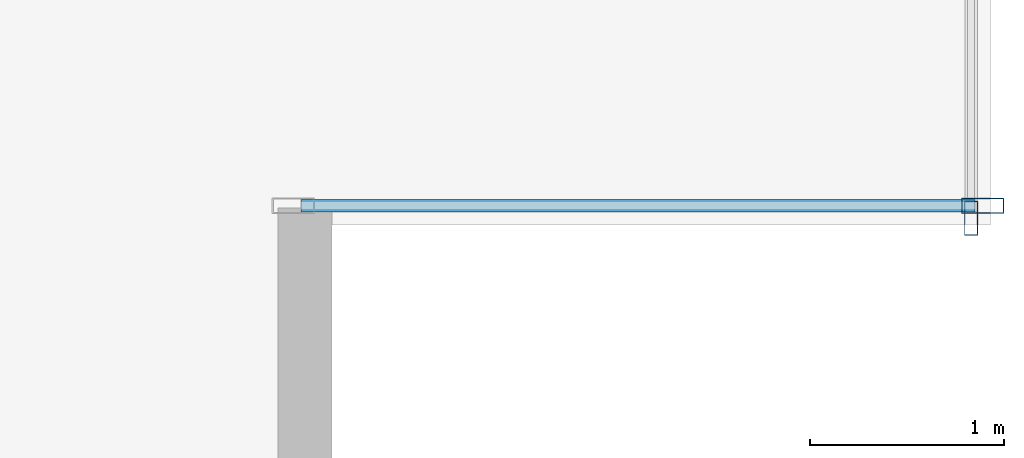
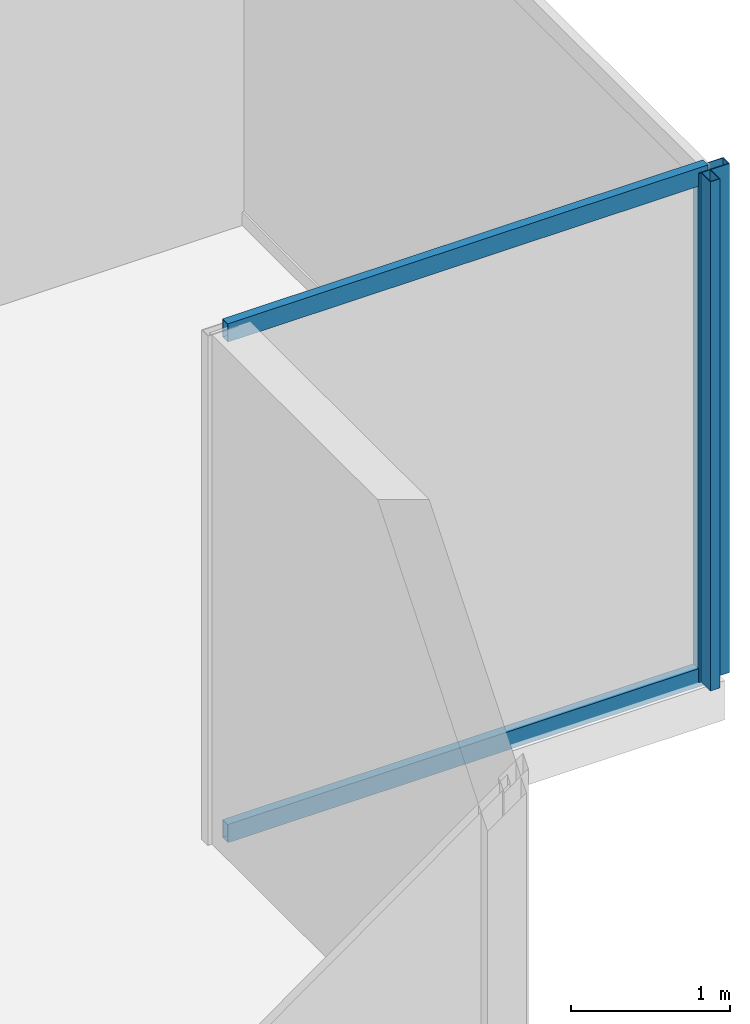
# One storey, part 15 of 31: 4 members, 2 elements without a shape of their own.
"""IFC4 building model written with IfcOpenShell, lengths in metres."""

from ifc_helpers import new_model, si_unit, direction, frame, origin, origin_2d, place, context, subcontext, project, spatial, hollow_rectangle, extrude, source, transform, mapped, material, layer, layer_set, material_profile, profile_set, type_object, type_shapes, element, aggregate, save


model = new_model("IFC4")

# Units and contexts
model_context = context("Model", 3, precision=1e-05, world=origin(), true_north=direction((0.0, 1.0)))
body_context = subcontext(model_context, "Body", "Model", "MODEL_VIEW")
ifc_project = project(units=[si_unit("LENGTHUNIT", "METRE"), si_unit("AREAUNIT", "SQUARE_METRE"), si_unit("VOLUMEUNIT", "CUBIC_METRE"), si_unit("PLANEANGLEUNIT", "RADIAN"), si_unit("MASSUNIT", "GRAM", prefix="KILO")], contexts=[model_context])

# Site, building, storey
site_placement = place(None, origin())
site = spatial("IfcSite", under=ifc_project, at=site_placement, CompositionType="ELEMENT")
building_placement = place(site_placement, origin())
building = spatial("IfcBuilding", under=site, at=building_placement, Name="Haelvirn Gate Laboratories", CompositionType="ELEMENT")
storey_placement = place(building_placement, frame((0.0, 0.0, 318.60009765625)))
storey = spatial("IfcBuildingStorey", under=building, at=storey_placement, Name="L76", CompositionType="ELEMENT", Elevation=318.60009765625)

# Curtain wall, member
ifc_material_1 = material(Name="Anodised bronze unitised aluminium & triple low-E glass", Category="aluminium")
ifc_layer_1 = layer(ifc_material_1, 0.176025390625, Name="CW-SYS-4")
ifc_layer_set_1 = layer_set([ifc_layer_1], Name="Anodised bronze unitised aluminium & triple low-E glass")
curtain_wall_type_1 = type_object("IfcCurtainWallType", Name="CW-SYS-4", PredefinedType="NOTDEFINED", material=ifc_layer_set_1)
curtain_wall_1_placement = place(storey_placement, origin())
curtain_wall_1 = element("IfcCurtainWall", 1, at=curtain_wall_1_placement, inside=storey, type_object=curtain_wall_type_1, Name="L76 Unitised Curtain Wall CW-L76-P0-E07", PredefinedType="NOTDEFINED")
ifc_material_2 = material(Name="Extruded aluminium 6063-T6 (anodised bronze)", Category="aluminium")
ifc_material_profile_1 = material_profile(ifc_material_2, hollow_rectangle(XDim=0.070068359375, YDim=0.179931640625, WallThickness=0.0048828125, at=origin_2d()), Name="CWM-180x70x5")
ifc_profile_set_1 = profile_set([ifc_material_profile_1], Name="Extruded aluminium 6063-T6 (anodised bronze)")
member_type_1 = type_object("IfcMemberType", Name="CWM-T180", PredefinedType="MULLION", material=ifc_profile_set_1)
shared_shape_1 = source(origin(), body_context, "Body", "SweptSolid", [
    extrude(hollow_rectangle(XDim=0.070068359375, YDim=0.179931640625, WallThickness=0.0048828125, at=origin_2d()), origin(), (0.0, 0.0, 1.0), 3.89990234375),
])
type_shapes(member_type_1, [shared_shape_1])
member_1_placement = place(storey_placement, frame((68.89990234375, 7.135009765625, 0.0), z_axis=(0.0, 0.0, 1.0), x_axis=(-1.0, 0.0, 0.0)))
member_1 = element("IfcMember", 2, at=member_1_placement, type_object=member_type_1, Name="CW4 mullion 1", PredefinedType="MULLION", context=body_context, shape_type="MappedRepresentation", body=[
    mapped(shared_shape_1, transform((0.0, 0.0, 0.0), scale=1.0)),
])
aggregate(curtain_wall_1, [member_1])

# Curtain wall, members
ifc_layer_2 = layer(ifc_material_1, 0.181884765625, Name="CW-SYS-5")
ifc_layer_set_2 = layer_set([ifc_layer_2], Name="Anodised bronze unitised aluminium & triple low-E glass")
curtain_wall_type_2 = type_object("IfcCurtainWallType", Name="CW-SYS-5", PredefinedType="NOTDEFINED", material=ifc_layer_set_2)
curtain_wall_2_placement = place(storey_placement, origin())
curtain_wall_2 = element("IfcCurtainWall", 3, at=curtain_wall_2_placement, inside=storey, type_object=curtain_wall_type_2, Name="L76 Unitised Curtain Wall CW-L76-P0-E06-1", PredefinedType="NOTDEFINED")
ifc_material_profile_2 = material_profile(ifc_material_2, hollow_rectangle(XDim=0.080078125, YDim=0.219970703125, WallThickness=0.006103515625, at=origin_2d()), Name="CWM-220x80x6")
ifc_profile_set_2 = profile_set([ifc_material_profile_2], Name="Extruded aluminium 6063-T6 (anodised bronze)")
member_type_2 = type_object("IfcMemberType", Name="CWM-T220", PredefinedType="MULLION", material=ifc_profile_set_2)
shared_shape_2 = source(origin(), body_context, "Body", "SweptSolid", [
    extrude(hollow_rectangle(XDim=0.080078125, YDim=0.219970703125, WallThickness=0.006103515625, at=origin_2d()), origin(), (0.0, 0.0, 1.0), 3.89990234375),
])
type_shapes(member_type_2, [shared_shape_2])
member_2_placement = place(storey_placement, frame((68.9599609375, 7.199951171875, 0.0), z_axis=(0.0, 0.0, 1.0), x_axis=(0.0, 1.0, 0.0)))
member_2 = element("IfcMember", 4, at=member_2_placement, type_object=member_type_2, Name="CW5 mullion 2", PredefinedType="MULLION", context=body_context, shape_type="MappedRepresentation", body=[
    mapped(shared_shape_2, transform((0.0, 0.0, 0.0), scale=1.0)),
])
ifc_material_profile_3 = material_profile(ifc_material_2, hollow_rectangle(XDim=0.06494140625, YDim=0.139892578125, WallThickness=0.00390625, at=origin_2d()), Name="CWT-140x65x4")
ifc_profile_set_3 = profile_set([ifc_material_profile_3], Name="Extruded aluminium 6063-T6 (anodised bronze)")
member_type_3 = type_object("IfcMemberType", Name="CWT-T140", PredefinedType="USERDEFINED", material=ifc_profile_set_3)
shared_shape_3 = source(origin(), body_context, "Body", "SweptSolid", [
    extrude(hollow_rectangle(XDim=0.06494140625, YDim=0.139892578125, WallThickness=0.00390625, at=origin_2d()), origin(), (0.0, 0.0, 1.0), 3.47998046875),
])
type_shapes(member_type_3, [shared_shape_3])
member_3_placement = place(storey_placement, frame((65.43994140625, 7.199951171875, 0.032470703125), z_axis=(1.0, 0.0, 0.0), x_axis=(0.0, 1.0, 0.0)))
member_3 = element("IfcMember", 5, at=member_3_placement, type_object=member_type_3, Name="CW5 transom 1.1", ObjectType="TRANSOM", PredefinedType="USERDEFINED", context=body_context, shape_type="MappedRepresentation", body=[
    mapped(shared_shape_3, transform((0.0, 0.0, 0.0), scale=1.0)),
])
member_4_placement = place(storey_placement, frame((65.43994140625, 7.199951171875, 3.867431640625), z_axis=(1.0, 0.0, 0.0), x_axis=(0.0, 1.0, 0.0)))
member_4 = element("IfcMember", 6, at=member_4_placement, type_object=member_type_3, Name="CW5 transom 1.2", ObjectType="TRANSOM", PredefinedType="USERDEFINED", context=body_context, shape_type="MappedRepresentation", body=[
    mapped(shared_shape_3, transform((0.0, 0.0, 0.0), scale=1.0)),
])
aggregate(curtain_wall_2, [member_2, member_3, member_4])

save(model, "model.ifc")
